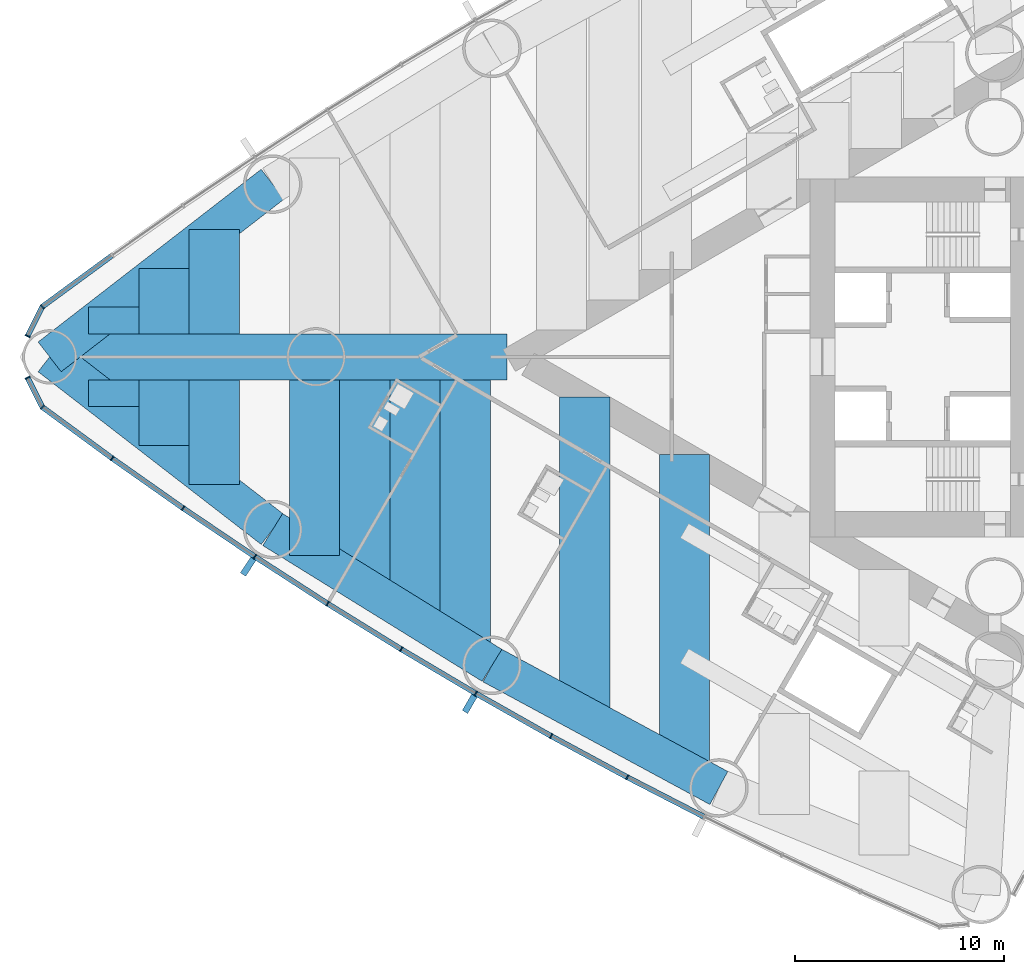
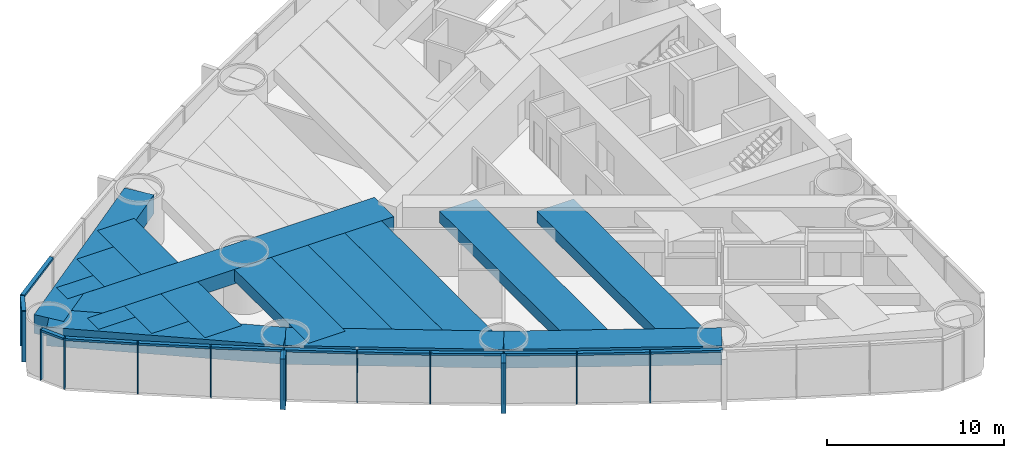
# One storey, part 2 of 19: 26 members, 17 beams, 2 elements without a shape of their own.
"""IFC4 building model written with IfcOpenShell, lengths in metres."""

from ifc_helpers import new_model, si_unit, direction, frame, origin, origin_2d, place, context, subcontext, project, spatial, rectangle, extrude, material, material_profile, profile_set, type_object, element, aggregate, save


model = new_model("IFC4")

# Units and contexts
model_context = context("Model", 3, precision=1e-05, world=origin(), true_north=direction((0.0, 1.0)))
body_context = subcontext(model_context, "Body", "Model", "MODEL_VIEW")
ifc_project = project(units=[si_unit("LENGTHUNIT", "METRE"), si_unit("AREAUNIT", "SQUARE_METRE"), si_unit("VOLUMEUNIT", "CUBIC_METRE"), si_unit("PLANEANGLEUNIT", "RADIAN"), si_unit("MASSUNIT", "GRAM", prefix="KILO")], contexts=[model_context])

# Site, building, storey
site_placement = place(None, origin())
site = spatial("IfcSite", under=ifc_project, at=site_placement, CompositionType="ELEMENT")
building_placement = place(site_placement, origin())
building = spatial("IfcBuilding", under=site, at=building_placement, Name="Lancet Gate Hotel", CompositionType="ELEMENT")
storey_placement = place(building_placement, frame((0.0, 0.0, 70.5)))
storey = spatial("IfcBuildingStorey", under=building, at=storey_placement, Name="L18", CompositionType="ELEMENT", Elevation=70.5)

# Curtain wall, members
ifc_material_1 = material(Name="Aluminium curtain wall", Category="aluminium")
curtain_wall_type = type_object("IfcCurtainWallType", Name="Tower unitised curtain wall", PredefinedType="USERDEFINED", material=ifc_material_1)
curtain_wall_1_placement = place(storey_placement, origin())
curtain_wall_1 = element("IfcCurtainWall", 1, at=curtain_wall_1_placement, inside=storey, type_object=curtain_wall_type, Name="T1 L18 curtain wall 2", ObjectType="UNITISED CURTAIN WALL", PredefinedType="USERDEFINED")
ifc_material_2 = material(Name="Aluminium mullion", Category="aluminium")
ifc_material_profile_1 = material_profile(ifc_material_2, rectangle(XDim=0.06494140625, YDim=0.25, at=origin_2d()), Name="MULLION 65x250")
ifc_profile_set_1 = profile_set([ifc_material_profile_1], Name="Aluminium mullion")
member_type_1 = type_object("IfcMemberType", Name="Aluminium mullion 65x250", PredefinedType="MULLION", material=ifc_profile_set_1)
member_1_placement = place(storey_placement, frame((-74.5830078125, 2.401611328125, 0.0), z_axis=(0.0, 0.0, 1.0), x_axis=(-0.723695580132, -0.690119342793, 0.0)))
member_1 = element("IfcMember", 2, at=member_1_placement, type_object=member_type_1, Name="T1 L18 curtain wall 2 mullion 14", PredefinedType="MULLION", context=body_context, shape_type="SweptSolid", body=[
    extrude(rectangle(XDim=0.06494140625, YDim=0.25, at=origin_2d()), origin(), (0.0, 0.0, 1.0), 3.5),
])
member_2_placement = place(storey_placement, frame((-75.287109375, 0.994873046875, 0.0), z_axis=(0.0, 0.0, 1.0), x_axis=(-0.447628324726, -0.89421970617, 0.0)))
member_2 = element("IfcMember", 3, at=member_2_placement, type_object=member_type_1, Name="T1 L18 curtain wall 2 mullion 15", PredefinedType="MULLION", context=body_context, shape_type="SweptSolid", body=[
    extrude(rectangle(XDim=0.06494140625, YDim=0.25, at=origin_2d()), origin(), (0.0, 0.0, 1.0), 3.5),
])

curtain_wall_2_placement = place(storey_placement, origin())
curtain_wall_2 = element("IfcCurtainWall", 4, at=curtain_wall_2_placement, inside=storey, type_object=curtain_wall_type, Name="T1 L18 curtain wall 3", ObjectType="UNITISED CURTAIN WALL", PredefinedType="USERDEFINED")
member_3_placement = place(storey_placement, frame((-75.287109375, -0.994873046875, 0.0), z_axis=(0.0, 0.0, 1.0), x_axis=(0.447628324726, -0.89421970617, 0.0)))
member_3 = element("IfcMember", 5, at=member_3_placement, type_object=member_type_1, Name="T1 L18 curtain wall 3 mullion 1", PredefinedType="MULLION", context=body_context, shape_type="SweptSolid", body=[
    extrude(rectangle(XDim=0.06494140625, YDim=0.25, at=origin_2d()), origin(), (0.0, 0.0, 1.0), 3.5),
])
member_4_placement = place(storey_placement, frame((-74.5830078125, -2.401611328125, 0.0), z_axis=(0.0, 0.0, 1.0), x_axis=(0.723695580132, -0.690119342793, 0.0)))
member_4 = element("IfcMember", 6, at=member_4_placement, type_object=member_type_1, Name="T1 L18 curtain wall 3 mullion 2", PredefinedType="MULLION", context=body_context, shape_type="SweptSolid", body=[
    extrude(rectangle(XDim=0.06494140625, YDim=0.25, at=origin_2d()), origin(), (0.0, 0.0, 1.0), 3.5),
])
member_5_placement = place(storey_placement, frame((-71.244384765625, -4.85009765625, 0.0), z_axis=(0.0, 0.0, 1.0), x_axis=(0.812146623168, -0.583453393578, 0.0)))
member_5 = element("IfcMember", 7, at=member_5_placement, type_object=member_type_1, Name="T1 L18 curtain wall 3 mullion 3", PredefinedType="MULLION", context=body_context, shape_type="SweptSolid", body=[
    extrude(rectangle(XDim=0.06494140625, YDim=0.25, at=origin_2d()), origin(), (0.0, 0.0, 1.0), 3.5),
])
member_6_placement = place(storey_placement, frame((-67.858154296875, -7.232666015625, 0.0), z_axis=(0.0, 0.0, 1.0), x_axis=(0.823425148573, -0.56742490666, 0.0)))
member_6 = element("IfcMember", 8, at=member_6_placement, type_object=member_type_1, Name="T1 L18 curtain wall 3 mullion 4", PredefinedType="MULLION", context=body_context, shape_type="SweptSolid", body=[
    extrude(rectangle(XDim=0.06494140625, YDim=0.25, at=origin_2d()), origin(), (0.0, 0.0, 1.0), 3.5),
])
member_7_placement = place(storey_placement, frame((-64.42626953125, -9.548583984375, 0.0), z_axis=(0.0, 0.0, 1.0), x_axis=(0.834387381945, -0.55117846189, 0.0)))
member_7 = element("IfcMember", 9, at=member_7_placement, type_object=member_type_1, Name="T1 L18 curtain wall 3 mullion 5", PredefinedType="MULLION", context=body_context, shape_type="SweptSolid", body=[
    extrude(rectangle(XDim=0.06494140625, YDim=0.25, at=origin_2d()), origin(), (0.0, 0.0, 1.0), 3.5),
])
member_8_placement = place(storey_placement, frame((-60.949462890625, -11.796630859375, 0.0), z_axis=(0.0, 0.0, 1.0), x_axis=(0.845029112489, -0.534720299827, 0.0)))
member_8 = element("IfcMember", 10, at=member_8_placement, type_object=member_type_1, Name="T1 L18 curtain wall 3 mullion 6", PredefinedType="MULLION", context=body_context, shape_type="SweptSolid", body=[
    extrude(rectangle(XDim=0.06494140625, YDim=0.25, at=origin_2d()), origin(), (0.0, 0.0, 1.0), 3.5),
])
member_9_placement = place(storey_placement, frame((-57.42919921875, -13.97607421875, 0.0), z_axis=(0.0, 0.0, 1.0), x_axis=(0.855346252548, -0.518056742309, 0.0)))
member_9 = element("IfcMember", 11, at=member_9_placement, type_object=member_type_1, Name="T1 L18 curtain wall 3 mullion 7", PredefinedType="MULLION", context=body_context, shape_type="SweptSolid", body=[
    extrude(rectangle(XDim=0.06494140625, YDim=0.25, at=origin_2d()), origin(), (0.0, 0.0, 1.0), 3.5),
])
member_10_placement = place(storey_placement, frame((-53.866943359375, -16.086181640625, 0.0), z_axis=(0.0, 0.0, 1.0), x_axis=(0.86533483912, -0.501194190115, 0.0)))
member_10 = element("IfcMember", 12, at=member_10_placement, type_object=member_type_1, Name="T1 L18 curtain wall 3 mullion 8", PredefinedType="MULLION", context=body_context, shape_type="SweptSolid", body=[
    extrude(rectangle(XDim=0.06494140625, YDim=0.25, at=origin_2d()), origin(), (0.0, 0.0, 1.0), 3.5),
])
member_11_placement = place(storey_placement, frame((-50.26416015625, -18.1259765625, 0.0), z_axis=(0.0, 0.0, 1.0), x_axis=(0.874991035403, -0.484139120464, 0.0)))
member_11 = element("IfcMember", 13, at=member_11_placement, type_object=member_type_1, Name="T1 L18 curtain wall 3 mullion 9", PredefinedType="MULLION", context=body_context, shape_type="SweptSolid", body=[
    extrude(rectangle(XDim=0.06494140625, YDim=0.25, at=origin_2d()), origin(), (0.0, 0.0, 1.0), 3.5),
])
member_12_placement = place(storey_placement, frame((-46.6220703125, -20.094970703125, 0.0), z_axis=(0.0, 0.0, 1.0), x_axis=(0.884311132302, -0.466898084475, 0.0)))
member_12 = element("IfcMember", 14, at=member_12_placement, type_object=member_type_1, Name="T1 L18 curtain wall 3 mullion 10", PredefinedType="MULLION", context=body_context, shape_type="SweptSolid", body=[
    extrude(rectangle(XDim=0.06494140625, YDim=0.25, at=origin_2d()), origin(), (0.0, 0.0, 1.0), 3.5),
])

# Member
ifc_material_3 = material(Name="Aluminium transom", Category="aluminium")
ifc_material_profile_2 = material_profile(ifc_material_3, rectangle(XDim=0.25, YDim=0.14990234375, at=origin_2d()), Name="TRANSOM 250x150")
ifc_profile_set_2 = profile_set([ifc_material_profile_2], Name="Aluminium transom")
member_type_2 = type_object("IfcMemberType", Name="Aluminium transom 250x150", PredefinedType="USERDEFINED", material=ifc_profile_set_2)
member_13_placement = place(storey_placement, frame((-71.2705078125, 4.8310546875, 3.425048828125), z_axis=(-0.806366902144, -0.59141560609, 0.0), x_axis=(0.59141560609, -0.806366902144, 0.0)))
member_13 = element("IfcMember", 15, at=member_13_placement, type_object=member_type_2, Name="T1 L18 curtain wall 2 transom 13", ObjectType="TRANSOM", PredefinedType="USERDEFINED", context=body_context, shape_type="SweptSolid", body=[
    extrude(rectangle(XDim=0.25, YDim=0.14990234375, at=origin_2d()), origin(), (0.0, 0.0, 1.0), 4.0751953125),
])

member_14_placement = place(storey_placement, frame((-74.597412109375, 2.37255859375, 3.425048828125), z_axis=(-0.447731503446, -0.894168049542, 0.0), x_axis=(0.894168049542, -0.447731503446, 0.0)))
member_14 = element("IfcMember", 16, at=member_14_placement, type_object=member_type_2, Name="T1 L18 curtain wall 2 transom 14", ObjectType="TRANSOM", PredefinedType="USERDEFINED", context=body_context, shape_type="SweptSolid", body=[
    extrude(rectangle(XDim=0.25, YDim=0.14990234375, at=origin_2d()), origin(), (0.0, 0.0, 1.0), 1.50830078125),
])

aggregate(curtain_wall_1, [member_1, member_2, member_13, member_14])

member_15_placement = place(storey_placement, frame((-75.272705078125, -1.02392578125, 3.425048828125), z_axis=(0.447731503446, -0.894168049542, 0.0), x_axis=(0.894168049542, 0.447731503446, 0.0)))
member_15 = element("IfcMember", 17, at=member_15_placement, type_object=member_type_2, Name="T1 L18 curtain wall 3 transom 1", ObjectType="TRANSOM", PredefinedType="USERDEFINED", context=body_context, shape_type="SweptSolid", body=[
    extrude(rectangle(XDim=0.25, YDim=0.14990234375, at=origin_2d()), origin(), (0.0, 0.0, 1.0), 1.50830078125),
])

member_16_placement = place(storey_placement, frame((-74.556640625, -2.4208984375, 3.425048828125), z_axis=(0.806366902144, -0.59141560609, 0.0), x_axis=(0.59141560609, 0.806366902144, 0.0)))
member_16 = element("IfcMember", 18, at=member_16_placement, type_object=member_type_2, Name="T1 L18 curtain wall 3 transom 2", ObjectType="TRANSOM", PredefinedType="USERDEFINED", context=body_context, shape_type="SweptSolid", body=[
    extrude(rectangle(XDim=0.25, YDim=0.14990234375, at=origin_2d()), origin(), (0.0, 0.0, 1.0), 4.0751953125),
])

member_17_placement = place(storey_placement, frame((-71.2177734375, -4.868896484375, 3.425048828125), z_axis=(0.817833568345, -0.57545482402, 0.0), x_axis=(0.57545482402, 0.817833568345, 0.0)))
member_17 = element("IfcMember", 19, at=member_17_placement, type_object=member_type_2, Name="T1 L18 curtain wall 3 transom 3", ObjectType="TRANSOM", PredefinedType="USERDEFINED", context=body_context, shape_type="SweptSolid", body=[
    extrude(rectangle(XDim=0.25, YDim=0.14990234375, at=origin_2d()), origin(), (0.0, 0.0, 1.0), 4.075439453125),
])

member_18_placement = place(storey_placement, frame((-67.831298828125, -7.2509765625, 3.425048828125), z_axis=(0.828959086782, -0.559309245804, 0.0), x_axis=(0.559309245804, 0.828959086782, 0.0)))
member_18 = element("IfcMember", 20, at=member_18_placement, type_object=member_type_2, Name="T1 L18 curtain wall 3 transom 4", ObjectType="TRANSOM", PredefinedType="USERDEFINED", context=body_context, shape_type="SweptSolid", body=[
    extrude(rectangle(XDim=0.25, YDim=0.14990234375, at=origin_2d()), origin(), (0.0, 0.0, 1.0), 4.0751953125),
])

member_19_placement = place(storey_placement, frame((-64.39892578125, -9.566162109375, 3.425048828125), z_axis=(0.839729242404, -0.543005340169, 0.0), x_axis=(0.543005340169, 0.839729242404, 0.0)))
member_19 = element("IfcMember", 21, at=member_19_placement, type_object=member_type_2, Name="T1 L18 curtain wall 3 transom 5", ObjectType="TRANSOM", PredefinedType="USERDEFINED", context=body_context, shape_type="SweptSolid", body=[
    extrude(rectangle(XDim=0.25, YDim=0.14990234375, at=origin_2d()), origin(), (0.0, 0.0, 1.0), 4.0751953125),
])

member_20_placement = place(storey_placement, frame((-60.921875, -11.813720703125, 3.425048828125), z_axis=(0.850242165643, -0.526391736032, 0.0), x_axis=(0.526391736032, 0.850242165643, 0.0)))
member_20 = element("IfcMember", 22, at=member_20_placement, type_object=member_type_2, Name="T1 L18 curtain wall 3 transom 6", ObjectType="TRANSOM", PredefinedType="USERDEFINED", context=body_context, shape_type="SweptSolid", body=[
    extrude(rectangle(XDim=0.25, YDim=0.14990234375, at=origin_2d()), origin(), (0.0, 0.0, 1.0), 4.075439453125),
])

member_21_placement = place(storey_placement, frame((-57.4013671875, -13.99267578125, 3.425048828125), z_axis=(0.86039174806, -0.509633240547, 0.0), x_axis=(0.509633240547, 0.86039174806, 0.0)))
member_21 = element("IfcMember", 23, at=member_21_placement, type_object=member_type_2, Name="T1 L18 curtain wall 3 transom 7", ObjectType="TRANSOM", PredefinedType="USERDEFINED", context=body_context, shape_type="SweptSolid", body=[
    extrude(rectangle(XDim=0.25, YDim=0.14990234375, at=origin_2d()), origin(), (0.0, 0.0, 1.0), 4.0751953125),
])

member_22_placement = place(storey_placement, frame((-53.838623046875, -16.102294921875, 3.425048828125), z_axis=(0.870197729943, -0.492702659625, 0.0), x_axis=(0.492702659625, 0.870197729943, 0.0)))
member_22 = element("IfcMember", 24, at=member_22_placement, type_object=member_type_2, Name="T1 L18 curtain wall 3 transom 8", ObjectType="TRANSOM", PredefinedType="USERDEFINED", context=body_context, shape_type="SweptSolid", body=[
    extrude(rectangle(XDim=0.25, YDim=0.14990234375, at=origin_2d()), origin(), (0.0, 0.0, 1.0), 4.0751953125),
])

member_23_placement = place(storey_placement, frame((-50.235595703125, -18.1416015625, 3.425048828125), z_axis=(0.87971396408, -0.475503250675, 0.0), x_axis=(0.475503250675, 0.87971396408, 0.0)))
member_23 = element("IfcMember", 25, at=member_23_placement, type_object=member_type_2, Name="T1 L18 curtain wall 3 transom 9", ObjectType="TRANSOM", PredefinedType="USERDEFINED", context=body_context, shape_type="SweptSolid", body=[
    extrude(rectangle(XDim=0.25, YDim=0.14990234375, at=origin_2d()), origin(), (0.0, 0.0, 1.0), 4.0751953125),
])

member_24_placement = place(storey_placement, frame((-46.593017578125, -20.10986328125, 3.425048828125), z_axis=(0.888859972399, -0.458178949175, 0.0), x_axis=(0.458178949175, 0.888859972399, 0.0)))
member_24 = element("IfcMember", 26, at=member_24_placement, type_object=member_type_2, Name="T1 L18 curtain wall 3 transom 10", ObjectType="TRANSOM", PredefinedType="USERDEFINED", context=body_context, shape_type="SweptSolid", body=[
    extrude(rectangle(XDim=0.25, YDim=0.14990234375, at=origin_2d()), origin(), (0.0, 0.0, 1.0), 4.0751953125),
])

# Beams
ifc_material_4 = material(Name="Concrete C50/60", Category="concrete")
ifc_material_profile_3 = material_profile(ifc_material_4, rectangle(XDim=1.800048828125, YDim=1.300048828125, at=origin_2d()), Name="RC 1800x1300")
ifc_profile_set_3 = profile_set([ifc_material_profile_3], Name="Concrete C50/60")
beam_type_1 = type_object("IfcBeamType", Name="Edge beam RC 1800x1300", PredefinedType="SPANDREL", material=ifc_profile_set_3)
for number, where, z_axis, x_axis, name in (
    (27, (-63.57177734375, 8.255126953125, 2.60009765625), (-0.790736428665, -0.612156761281, 0.0), (0.612156761281, -0.790736428665, 0.0), "T1 edge beam EB1 L18"),
    (28, (-74.235107421875, 0.0, 2.60009765625), (0.790736428665, -0.612156761281, 0.0), (0.612156761281, 0.790736428665, 0.0), "T1 edge beam EB1 L18"),
):
    element("IfcBeam", number, at=place(storey_placement, frame(where, z_axis=z_axis, x_axis=x_axis)), inside=storey, type_object=beam_type_1, Name=name, PredefinedType="SPANDREL", context=body_context, shape_type="SweptSolid", body=[
        extrude(rectangle(XDim=1.800048828125, YDim=1.300048828125, at=origin_2d()), origin(), (0.0, 0.0, 1.0), 13.4853515625),
    ])
for number, where, z_axis, x_axis, name in (
    (29, (-63.57177734375, -8.255126953125, 2.60009765625), (0.850225894333, -0.526418016984, 0.0), (0.526418016984, 0.850225894333, 0.0), "T1 edge beam EB1 L18"),
    (30, (-53.090087890625, -14.744873046875, 2.60009765625), (0.879692855603, -0.475542300749, 0.0), (0.475542300749, 0.879692855603, 0.0), "T1 edge beam EB1 L18"),
):
    element("IfcBeam", number, at=place(storey_placement, frame(where, z_axis=z_axis, x_axis=x_axis)), inside=storey, type_object=beam_type_1, Name=name, PredefinedType="SPANDREL", context=body_context, shape_type="SweptSolid", body=[
        extrude(rectangle(XDim=1.800048828125, YDim=1.300048828125, at=origin_2d()), origin(), (0.0, 0.0, 1.0), 12.328125),
    ])

# Member
ifc_material_5 = material(Name="Precast concrete C50/60", Category="concrete")
ifc_material_profile_4 = material_profile(ifc_material_5, rectangle(XDim=0.300048828125, YDim=0.89990234375, at=origin_2d()), Name="FIN 300x900")
ifc_profile_set_4 = profile_set([ifc_material_profile_4], Name="Precast concrete C50/60")
member_type_3 = type_object("IfcMemberType", Name="Exposed concrete fin 300x900", PredefinedType="USERDEFINED", material=ifc_profile_set_4)
member_25_placement = place(storey_placement, frame((-64.7431640625, -10.0283203125, 0.0), z_axis=(0.0, 0.0, 1.0), x_axis=(0.834387381945, -0.55117846189, 0.0)))
member_25 = element("IfcMember", 31, at=member_25_placement, type_object=member_type_3, Name="T1 L18 curtain wall 3 fin 5", ObjectType="FIN", PredefinedType="USERDEFINED", context=body_context, shape_type="SweptSolid", body=[
    extrude(rectangle(XDim=0.300048828125, YDim=0.89990234375, at=origin_2d()), origin(), (0.0, 0.0, 1.0), 3.5),
])

member_26_placement = place(storey_placement, frame((-54.1552734375, -16.583740234375, 0.0), z_axis=(0.0, 0.0, 1.0), x_axis=(0.86533483912, -0.501194190115, 0.0)))
member_26 = element("IfcMember", 32, at=member_26_placement, type_object=member_type_3, Name="T1 L18 curtain wall 3 fin 8", ObjectType="FIN", PredefinedType="USERDEFINED", context=body_context, shape_type="SweptSolid", body=[
    extrude(rectangle(XDim=0.300048828125, YDim=0.89990234375, at=origin_2d()), origin(), (0.0, 0.0, 1.0), 3.5),
])

aggregate(curtain_wall_2, [member_3, member_4, member_5, member_6, member_7, member_25, member_8, member_9, member_10, member_26, member_11, member_12, member_15, member_16, member_17, member_18, member_19, member_20, member_21, member_22, member_23, member_24])

# Beams
ifc_material_6 = material(Name="Concrete C50/60", Category="concrete")
ifc_material_profile_5 = material_profile(ifc_material_6, rectangle(XDim=2.39990234375, YDim=0.800048828125, at=origin_2d()), Name="RC 2400x800")
ifc_profile_set_5 = profile_set([ifc_material_profile_5], Name="Concrete C50/60")
beam_type_2 = type_object("IfcBeamType", Name="Floor beam RC 2400x800", PredefinedType="BEAM", material=ifc_profile_set_5)
beam_1_placement = place(storey_placement, frame((-43.891357421875, -4.663330078125, 2.85009765625), z_axis=(0.0, -1.0, 0.0), x_axis=(1.0, 0.0, 0.0)))
element("IfcBeam", 33, at=beam_1_placement, inside=storey, type_object=beam_type_2, Name="T1 floor beam F08N L18", PredefinedType="BEAM", context=body_context, shape_type="SweptSolid", body=[
    extrude(rectangle(XDim=2.39990234375, YDim=0.800048828125, at=origin_2d()), origin(), (0.0, 0.0, 1.0), 15.05419921875),
])
beam_2_placement = place(storey_placement, frame((-48.66015625, -1.909912109375, 2.85009765625), z_axis=(0.0, -1.0, 0.0), x_axis=(1.0, 0.0, 0.0)))
element("IfcBeam", 34, at=beam_2_placement, inside=storey, type_object=beam_type_2, Name="T1 floor beam F11N L18", PredefinedType="BEAM", context=body_context, shape_type="SweptSolid", body=[
    extrude(rectangle(XDim=2.39990234375, YDim=0.800048828125, at=origin_2d()), origin(), (0.0, 0.0, 1.0), 15.229736328125),
])
beam_3_placement = place(storey_placement, frame((-54.3681640625, -1.10009765625, 2.85009765625), z_axis=(0.0, -1.0, 0.0), x_axis=(1.0, 0.0, 0.0)))
element("IfcBeam", 35, at=beam_3_placement, inside=storey, type_object=beam_type_2, Name="T1 floor beam F14N L18", PredefinedType="BEAM", context=body_context, shape_type="SweptSolid", body=[
    extrude(rectangle(XDim=2.39990234375, YDim=0.800048828125, at=origin_2d()), origin(), (0.0, 0.0, 1.0), 12.853515625),
])
beam_4_placement = place(storey_placement, frame((-56.768310546875, -1.10009765625, 2.85009765625), z_axis=(0.0, -1.0, 0.0), x_axis=(1.0, 0.0, 0.0)))
element("IfcBeam", 36, at=beam_4_placement, inside=storey, type_object=beam_type_2, Name="T1 floor beam F16N L18", PredefinedType="BEAM", context=body_context, shape_type="SweptSolid", body=[
    extrude(rectangle(XDim=2.39990234375, YDim=0.800048828125, at=origin_2d()), origin(), (0.0, 0.0, 1.0), 11.367431640625),
])
beam_5_placement = place(storey_placement, frame((-59.168212890625, -1.10009765625, 2.85009765625), z_axis=(0.0, -1.0, 0.0), x_axis=(1.0, 0.0, 0.0)))
element("IfcBeam", 37, at=beam_5_placement, inside=storey, type_object=beam_type_2, Name="T1 floor beam F18N L18", PredefinedType="BEAM", context=body_context, shape_type="SweptSolid", body=[
    extrude(rectangle(XDim=2.39990234375, YDim=0.800048828125, at=origin_2d()), origin(), (0.0, 0.0, 1.0), 9.881591796875),
])
beam_6_placement = place(storey_placement, frame((-61.568359375, -1.10009765625, 2.85009765625), z_axis=(0.0, -1.0, 0.0), x_axis=(1.0, 0.0, 0.0)))
element("IfcBeam", 38, at=beam_6_placement, inside=storey, type_object=beam_type_2, Name="T1 floor beam F20N L18", PredefinedType="BEAM", context=body_context, shape_type="SweptSolid", body=[
    extrude(rectangle(XDim=2.39990234375, YDim=0.800048828125, at=origin_2d()), origin(), (0.0, 0.0, 1.0), 8.395751953125),
])
for number, where, z_axis, x_axis, name in (
    (39, (-66.3681640625, 6.09033203125, 2.85009765625), (0.0, -1.0, 0.0), (1.0, 0.0, 0.0), "T1 floor beam F21S L18"),
    (40, (-66.3681640625, -1.10009765625, 2.85009765625), (0.0, -1.0, 0.0), (1.0, 0.0, 0.0), "T1 floor beam F22N L18"),
):
    element("IfcBeam", number, at=place(storey_placement, frame(where, z_axis=z_axis, x_axis=x_axis)), inside=storey, type_object=beam_type_2, Name=name, PredefinedType="BEAM", context=body_context, shape_type="SweptSolid", body=[
        extrude(rectangle(XDim=2.39990234375, YDim=0.800048828125, at=origin_2d()), origin(), (0.0, 0.0, 1.0), 4.990234375),
    ])
for number, where, z_axis, x_axis, name in (
    (41, (-68.768310546875, 4.232421875, 2.85009765625), (0.0, -1.0, 0.0), (1.0, 0.0, 0.0), "T1 floor beam F23S L18"),
    (42, (-68.768310546875, -1.10009765625, 2.85009765625), (0.0, -1.0, 0.0), (1.0, 0.0, 0.0), "T1 floor beam F24N L18"),
):
    element("IfcBeam", number, at=place(storey_placement, frame(where, z_axis=z_axis, x_axis=x_axis)), inside=storey, type_object=beam_type_2, Name=name, PredefinedType="BEAM", context=body_context, shape_type="SweptSolid", body=[
        extrude(rectangle(XDim=2.39990234375, YDim=0.800048828125, at=origin_2d()), origin(), (0.0, 0.0, 1.0), 3.13232421875),
    ])
for number, where, z_axis, x_axis, name in (
    (43, (-71.168212890625, 2.374267578125, 2.85009765625), (0.0, -1.0, 0.0), (1.0, 0.0, 0.0), "T1 floor beam F25S L18"),
    (44, (-71.168212890625, -1.10009765625, 2.85009765625), (0.0, -1.0, 0.0), (1.0, 0.0, 0.0), "T1 floor beam F26N L18"),
):
    element("IfcBeam", number, at=place(storey_placement, frame(where, z_axis=z_axis, x_axis=x_axis)), inside=storey, type_object=beam_type_2, Name=name, PredefinedType="BEAM", context=body_context, shape_type="SweptSolid", body=[
        extrude(rectangle(XDim=2.39990234375, YDim=0.800048828125, at=origin_2d()), origin(), (0.0, 0.0, 1.0), 1.274169921875),
    ])
ifc_material_7 = material(Name="Concrete C50/60", Category="concrete")
ifc_material_profile_6 = material_profile(ifc_material_7, rectangle(XDim=2.199951171875, YDim=1.0, at=origin_2d()), Name="RC 2200x1000")
ifc_profile_set_6 = profile_set([ifc_material_profile_6], Name="Concrete C50/60")
beam_type_3 = type_object("IfcBeamType", Name="Radial floor beam RC 2200x1000", PredefinedType="BEAM", material=ifc_profile_set_6)
beam_7_placement = place(storey_placement, frame((-74.235107421875, 0.0, 2.75), z_axis=(1.0, 0.0, 0.0), x_axis=(0.0, 1.0, 0.0)))
element("IfcBeam", 45, at=beam_7_placement, inside=storey, type_object=beam_type_3, Name="T1 radial beam CA L18", PredefinedType="BEAM", context=body_context, shape_type="SweptSolid", body=[
    extrude(rectangle(XDim=2.199951171875, YDim=1.0, at=origin_2d()), origin(), (0.0, 0.0, 1.0), 21.866943359375),
])

save(model, "model.ifc")
